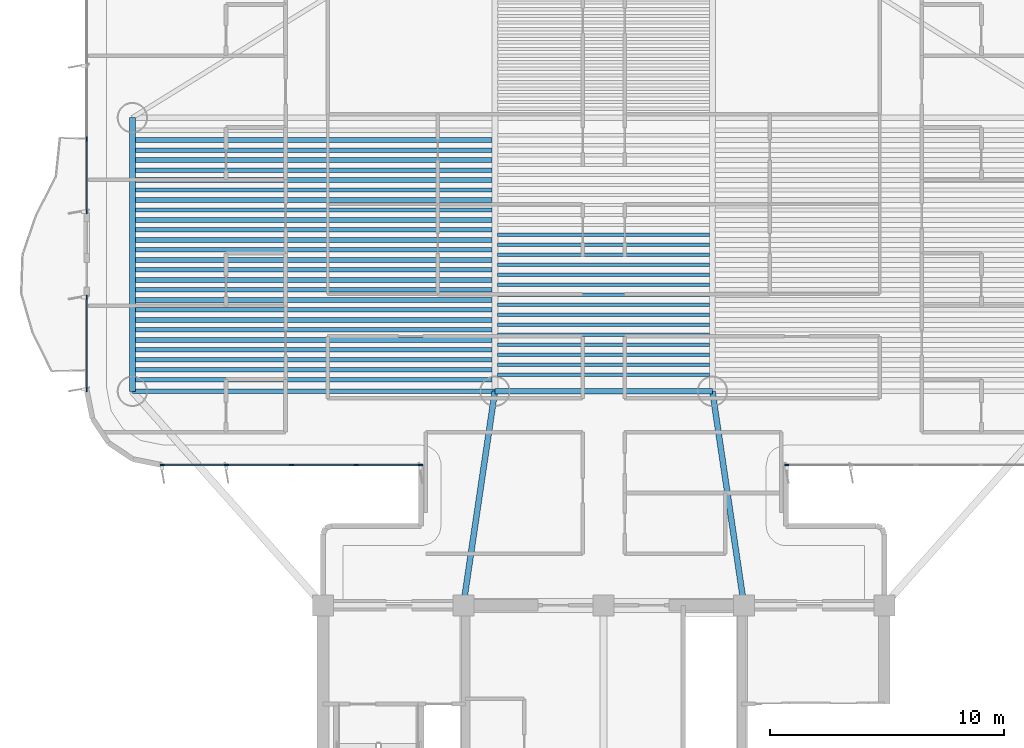
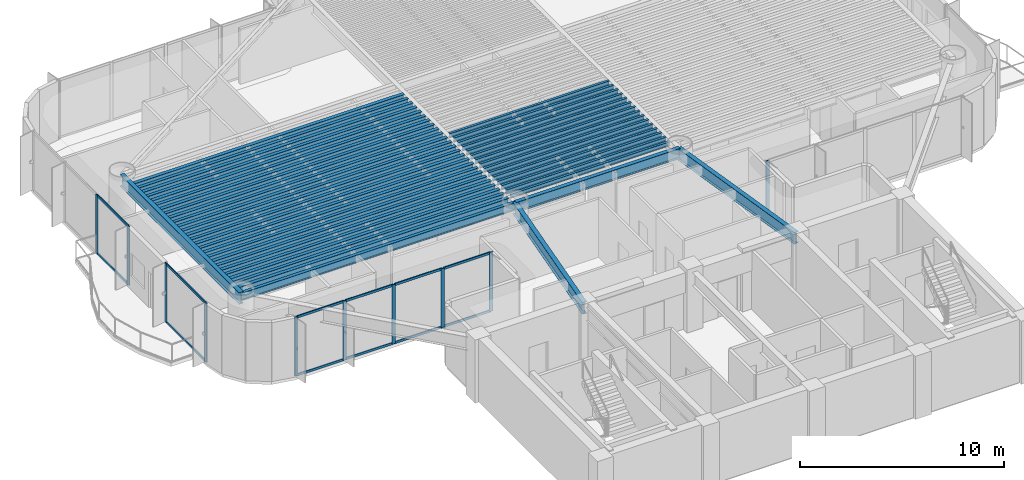
# One storey, part 2 of 17: 45 beams, 22 members, 4 elements without a shape of their own.
"""IFC4 building model written with IfcOpenShell, lengths in metres."""

from ifc_helpers import new_model, si_unit, direction, frame, origin, origin_2d, place, context, subcontext, project, spatial, rectangle, i_section, extrude, source, transform, mapped, material, layer, layer_set, material_profile, profile_set, type_object, element, aggregate, save


model = new_model("IFC4")

# Units and contexts
model_context = context("Model", 3, precision=1e-05, world=origin(), true_north=direction((0.0, 1.0)))
body_context = subcontext(model_context, "Body", "Model", "MODEL_VIEW")
ifc_project = project(units=[si_unit("LENGTHUNIT", "METRE"), si_unit("AREAUNIT", "SQUARE_METRE"), si_unit("VOLUMEUNIT", "CUBIC_METRE"), si_unit("PLANEANGLEUNIT", "RADIAN"), si_unit("MASSUNIT", "GRAM", prefix="KILO")], contexts=[model_context])

# Site, building, storey
site_placement = place(None, origin())
site = spatial("IfcSite", under=ifc_project, at=site_placement, CompositionType="ELEMENT")
building_placement = place(site_placement, origin())
building = spatial("IfcBuilding", under=site, at=building_placement, Name="Brelvock Crest Care Tower", CompositionType="ELEMENT")
storey_placement = place(building_placement, frame((0.0, 0.0, 131.39990234375)))
storey = spatial("IfcBuildingStorey", under=building, at=storey_placement, Name="L33", CompositionType="ELEMENT", Elevation=131.39990234375)

# Beams
ifc_material_1 = material(Name="Steel Grade 350", Category="steel")
ifc_material_profile_1 = material_profile(ifc_material_1, i_section(OverallWidth=0.22900390625, OverallDepth=0.612060546875, WebThickness=0.011962890625, FlangeThickness=0.01953125, FilletRadius=0.013916015625, at=origin_2d()), Name="610UB125")
ifc_profile_set_1 = profile_set([ifc_material_profile_1], Name="Steel Grade 350")
beam_type_1 = type_object("IfcBeamType", Name="BM-G1", PredefinedType="BEAM", material=ifc_profile_set_1)
shared_shape_1 = source(origin(), body_context, "Body", "SweptSolid", [
    extrude(i_section(OverallWidth=0.22900390625, OverallDepth=0.612060546875, WebThickness=0.011962890625, FlangeThickness=0.01953125, FilletRadius=0.013916015625, at=origin_2d()), origin(), (0.0, 0.0, 1.0), 9.2998046875),
])
beam_1_placement = place(storey_placement, frame((31.35009765625, 27.14990234375, 3.22412109375), z_axis=(1.0, 0.0, 0.0), x_axis=(0.0, 1.0, 0.0)))
element("IfcBeam", 1, at=beam_1_placement, inside=storey, type_object=beam_type_1, Name="BM-TWR-L33-05", PredefinedType="BEAM", context=body_context, shape_type="MappedRepresentation", body=[
    mapped(shared_shape_1, transform((0.0, 0.0, 0.0), x_axis=(1.0, 0.0, 0.0), y_axis=(0.0, 1.0, 0.0), z_axis=(0.0, 0.0, 1.0), scale=1.0)),
])
ifc_material_profile_2 = material_profile(ifc_material_1, i_section(OverallWidth=0.14599609375, OverallDepth=0.256103515625, WebThickness=0.00634765625, FlangeThickness=0.010986328125, FilletRadius=0.0087890625, at=origin_2d()), Name="250UB37.3")
ifc_profile_set_2 = profile_set([ifc_material_profile_2], Name="Steel Grade 350")
beam_type_2 = type_object("IfcBeamType", Name="BM-J3", PredefinedType="JOIST", material=ifc_profile_set_2)
shared_shape_2 = source(origin(), body_context, "Body", "SweptSolid", [
    extrude(i_section(OverallWidth=0.14599609375, OverallDepth=0.256103515625, WebThickness=0.00634765625, FlangeThickness=0.010986328125, FilletRadius=0.0087890625, at=origin_2d()), origin(), (0.0, 0.0, 1.0), 9.06982421875),
])
for number, where, z_axis, x_axis, name in (
    (2, (31.465087890625, 27.85498046875, 3.402099609375), (1.0, 0.0, 0.0), (0.0, 1.0, 0.0), "BM-JH-L33-1"),
    (3, (31.465087890625, 28.281982421875, 3.402099609375), (1.0, 0.0, 0.0), (0.0, 1.0, 0.0), "BM-JH-L33-2"),
    (4, (31.465087890625, 28.708984375, 3.402099609375), (1.0, 0.0, 0.0), (0.0, 1.0, 0.0), "BM-JH-L33-3"),
    (5, (31.465087890625, 29.135986328125, 3.402099609375), (1.0, 0.0, 0.0), (0.0, 1.0, 0.0), "BM-JH-L33-4"),
    (6, (31.465087890625, 29.56298828125, 3.402099609375), (1.0, 0.0, 0.0), (0.0, 1.0, 0.0), "BM-JH-L33-5"),
    (7, (31.465087890625, 29.990234375, 3.402099609375), (1.0, 0.0, 0.0), (0.0, 1.0, 0.0), "BM-JH-L33-6"),
    (8, (31.465087890625, 30.417236328125, 3.402099609375), (1.0, 0.0, 0.0), (0.0, 1.0, 0.0), "BM-JH-L33-7"),
    (9, (31.465087890625, 30.84423828125, 3.402099609375), (1.0, 0.0, 0.0), (0.0, 1.0, 0.0), "BM-JH-L33-8"),
    (10, (31.465087890625, 31.271240234375, 3.402099609375), (1.0, 0.0, 0.0), (0.0, 1.0, 0.0), "BM-JH-L33-9"),
    (11, (31.465087890625, 31.698486328125, 3.402099609375), (1.0, 0.0, 0.0), (0.0, 1.0, 0.0), "BM-JH-L33-10"),
    (12, (31.465087890625, 32.12548828125, 3.402099609375), (1.0, 0.0, 0.0), (0.0, 1.0, 0.0), "BM-JH-L33-11"),
    (13, (31.465087890625, 32.552490234375, 3.402099609375), (1.0, 0.0, 0.0), (0.0, 1.0, 0.0), "BM-JH-L33-12"),
    (14, (31.465087890625, 32.9794921875, 3.402099609375), (1.0, 0.0, 0.0), (0.0, 1.0, 0.0), "BM-JH-L33-13"),
    (15, (31.465087890625, 33.406494140625, 3.402099609375), (1.0, 0.0, 0.0), (0.0, 1.0, 0.0), "BM-JH-L33-14"),
    (16, (31.465087890625, 33.83349609375, 3.402099609375), (1.0, 0.0, 0.0), (0.0, 1.0, 0.0), "BM-JH-L33-15"),
):
    element("IfcBeam", number, at=place(storey_placement, frame(where, z_axis=z_axis, x_axis=x_axis)), inside=storey, type_object=beam_type_2, Name=name, PredefinedType="JOIST", context=body_context, shape_type="MappedRepresentation", body=[
        mapped(shared_shape_2, transform((0.0, 0.0, 0.0), x_axis=(1.0, 0.0, 0.0), y_axis=(0.0, 1.0, 0.0), z_axis=(0.0, 0.0, 1.0), scale=1.0)),
    ])
ifc_material_profile_3 = material_profile(ifc_material_1, i_section(OverallWidth=0.208984375, OverallDepth=0.532958984375, WebThickness=0.01025390625, FlangeThickness=0.015625, FilletRadius=0.013916015625, at=origin_2d()), Name="530UB92.4")
ifc_profile_set_3 = profile_set([ifc_material_profile_3], Name="Steel Grade 350")
beam_type_3 = type_object("IfcBeamType", Name="BM-G2", PredefinedType="BEAM", material=ifc_profile_set_3)
shared_shape_3 = source(origin(), body_context, "Body", "SweptSolid", [
    extrude(i_section(OverallWidth=0.208984375, OverallDepth=0.532958984375, WebThickness=0.01025390625, FlangeThickness=0.015625, FilletRadius=0.013916015625, at=origin_2d()), origin(), (0.0, 0.0, 1.0), 15.27001953125),
])
for number, where, z_axis, x_axis, name in (
    (17, (15.965087890625, 27.641357421875, 3.263671875), (1.0, 0.0, 0.0), (0.0, 1.0, 0.0), "BM-JW-L33-1"),
    (18, (15.965087890625, 28.49560546875, 3.263671875), (1.0, 0.0, 0.0), (0.0, 1.0, 0.0), "BM-JW-L33-3"),
    (19, (15.965087890625, 29.349609375, 3.263671875), (1.0, 0.0, 0.0), (0.0, 1.0, 0.0), "BM-JW-L33-5"),
    (20, (15.965087890625, 30.20361328125, 3.263671875), (1.0, 0.0, 0.0), (0.0, 1.0, 0.0), "BM-JW-L33-7"),
    (21, (15.965087890625, 31.057861328125, 3.263671875), (1.0, 0.0, 0.0), (0.0, 1.0, 0.0), "BM-JW-L33-9"),
    (22, (15.965087890625, 31.911865234375, 3.263671875), (1.0, 0.0, 0.0), (0.0, 1.0, 0.0), "BM-JW-L33-11"),
    (23, (15.965087890625, 32.76611328125, 3.263671875), (1.0, 0.0, 0.0), (0.0, 1.0, 0.0), "BM-JW-L33-13"),
    (24, (15.965087890625, 33.6201171875, 3.263671875), (1.0, 0.0, 0.0), (0.0, 1.0, 0.0), "BM-JW-L33-15"),
    (25, (15.965087890625, 34.47412109375, 3.263671875), (1.0, 0.0, 0.0), (0.0, 1.0, 0.0), "BM-JW-L33-17"),
    (26, (15.965087890625, 35.328369140625, 3.263671875), (1.0, 0.0, 0.0), (0.0, 1.0, 0.0), "BM-JW-L33-19"),
    (27, (15.965087890625, 36.182373046875, 3.263671875), (1.0, 0.0, 0.0), (0.0, 1.0, 0.0), "BM-JW-L33-21"),
    (28, (15.965087890625, 37.03662109375, 3.263671875), (1.0, 0.0, 0.0), (0.0, 1.0, 0.0), "BM-JW-L33-23"),
    (29, (15.965087890625, 37.890625, 3.263671875), (1.0, 0.0, 0.0), (0.0, 1.0, 0.0), "BM-JW-L33-25"),
):
    element("IfcBeam", number, at=place(storey_placement, frame(where, z_axis=z_axis, x_axis=x_axis)), inside=storey, type_object=beam_type_3, Name=name, PredefinedType="BEAM", context=body_context, shape_type="MappedRepresentation", body=[
        mapped(shared_shape_3, transform((0.0, 0.0, 0.0), x_axis=(1.0, 0.0, 0.0), y_axis=(0.0, 1.0, 0.0), z_axis=(0.0, 0.0, 1.0), scale=1.0)),
    ])
ifc_material_profile_4 = material_profile(ifc_material_1, i_section(OverallWidth=0.19091796875, OverallDepth=0.4599609375, WebThickness=0.010009765625, FlangeThickness=0.01611328125, FilletRadius=0.011474609375, at=origin_2d()), Name="460UB82.1")
ifc_profile_set_4 = profile_set([ifc_material_profile_4], Name="Steel Grade 350")
beam_type_4 = type_object("IfcBeamType", Name="BM-G3", PredefinedType="BEAM", material=ifc_profile_set_4)
shared_shape_4 = source(origin(), body_context, "Body", "SweptSolid", [
    extrude(i_section(OverallWidth=0.19091796875, OverallDepth=0.4599609375, WebThickness=0.010009765625, FlangeThickness=0.01611328125, FilletRadius=0.011474609375, at=origin_2d()), origin(), (0.0, 0.0, 1.0), 15.27001953125),
])
for number, where, z_axis, x_axis, name in (
    (30, (15.965087890625, 28.068359375, 3.300048828125), (1.0, 0.0, 0.0), (0.0, 1.0, 0.0), "BM-JW-L33-2"),
    (31, (15.965087890625, 28.922607421875, 3.300048828125), (1.0, 0.0, 0.0), (0.0, 1.0, 0.0), "BM-JW-L33-4"),
    (32, (15.965087890625, 29.776611328125, 3.300048828125), (1.0, 0.0, 0.0), (0.0, 1.0, 0.0), "BM-JW-L33-6"),
    (33, (15.965087890625, 30.630615234375, 3.300048828125), (1.0, 0.0, 0.0), (0.0, 1.0, 0.0), "BM-JW-L33-8"),
    (34, (15.965087890625, 31.48486328125, 3.300048828125), (1.0, 0.0, 0.0), (0.0, 1.0, 0.0), "BM-JW-L33-10"),
    (35, (15.965087890625, 32.3388671875, 3.300048828125), (1.0, 0.0, 0.0), (0.0, 1.0, 0.0), "BM-JW-L33-12"),
    (36, (15.965087890625, 33.193115234375, 3.300048828125), (1.0, 0.0, 0.0), (0.0, 1.0, 0.0), "BM-JW-L33-14"),
    (37, (15.965087890625, 34.047119140625, 3.300048828125), (1.0, 0.0, 0.0), (0.0, 1.0, 0.0), "BM-JW-L33-16"),
    (38, (15.965087890625, 34.901123046875, 3.300048828125), (1.0, 0.0, 0.0), (0.0, 1.0, 0.0), "BM-JW-L33-18"),
    (39, (15.965087890625, 35.75537109375, 3.300048828125), (1.0, 0.0, 0.0), (0.0, 1.0, 0.0), "BM-JW-L33-20"),
    (40, (15.965087890625, 36.609619140625, 3.300048828125), (1.0, 0.0, 0.0), (0.0, 1.0, 0.0), "BM-JW-L33-22"),
    (41, (15.965087890625, 37.46337890625, 3.300048828125), (1.0, 0.0, 0.0), (0.0, 1.0, 0.0), "BM-JW-L33-24"),
):
    element("IfcBeam", number, at=place(storey_placement, frame(where, z_axis=z_axis, x_axis=x_axis)), inside=storey, type_object=beam_type_4, Name=name, PredefinedType="BEAM", context=body_context, shape_type="MappedRepresentation", body=[
        mapped(shared_shape_4, transform((0.0, 0.0, 0.0), x_axis=(1.0, 0.0, 0.0), y_axis=(0.0, 1.0, 0.0), z_axis=(0.0, 0.0, 1.0), scale=1.0)),
    ])
ifc_material_profile_5 = material_profile(ifc_material_1, i_section(OverallWidth=0.25, OverallDepth=0.699951171875, WebThickness=0.011962890625, FlangeThickness=0.02001953125, at=origin_2d()), Name="700WB150")
ifc_profile_set_5 = profile_set([ifc_material_profile_5], Name="Steel Grade 350")
beam_type_5 = type_object("IfcBeamType", Name="BM-G4", PredefinedType="BEAM", material=ifc_profile_set_5)
shared_shape_5 = source(origin(), body_context, "Body", "SweptSolid", [
    extrude(i_section(OverallWidth=0.25, OverallDepth=0.699951171875, WebThickness=0.011962890625, FlangeThickness=0.02001953125, at=origin_2d()), origin(), (0.0, 0.0, 1.0), 11.7001953125),
])
beam_2_placement = place(storey_placement, frame((15.85009765625, 27.14990234375, 3.18017578125), z_axis=(0.0, 1.0, 0.0), x_axis=(-1.0, 0.0, 0.0)))
element("IfcBeam", 42, at=beam_2_placement, inside=storey, type_object=beam_type_5, Name="BM-TWR-L33-01", PredefinedType="BEAM", context=body_context, shape_type="MappedRepresentation", body=[
    mapped(shared_shape_5, transform((0.0, 0.0, 0.0), x_axis=(1.0, 0.0, 0.0), y_axis=(0.0, 1.0, 0.0), z_axis=(0.0, 0.0, 1.0), scale=1.0)),
])
ifc_material_profile_6 = material_profile(ifc_material_1, i_section(OverallWidth=0.19091796875, OverallDepth=0.4599609375, WebThickness=0.010009765625, FlangeThickness=0.01611328125, FilletRadius=0.011474609375, at=origin_2d()), Name="460UB82.1")
ifc_profile_set_6 = profile_set([ifc_material_profile_6], Name="Steel Grade 350")
beam_type_6 = type_object("IfcBeamType", Name="BM-SP2", PredefinedType="SPANDREL", material=ifc_profile_set_6)
shared_shape_6 = source(origin(), body_context, "Body", "SweptSolid", [
    extrude(i_section(OverallWidth=0.19091796875, OverallDepth=0.4599609375, WebThickness=0.010009765625, FlangeThickness=0.01611328125, FilletRadius=0.011474609375, at=origin_2d()), origin(), (0.0, 0.0, 1.0), 15.5),
])
beam_3_placement = place(storey_placement, frame((15.85009765625, 27.14990234375, 3.300048828125), z_axis=(1.0, 0.0, 0.0), x_axis=(0.0, 1.0, 0.0)))
element("IfcBeam", 43, at=beam_3_placement, inside=storey, type_object=beam_type_6, Name="BM-TWR-L33-03", PredefinedType="SPANDREL", context=body_context, shape_type="MappedRepresentation", body=[
    mapped(shared_shape_6, transform((0.0, 0.0, 0.0), x_axis=(1.0, 0.0, 0.0), y_axis=(0.0, 1.0, 0.0), z_axis=(0.0, 0.0, 1.0), scale=1.0)),
])
shared_shape_7 = source(origin(), body_context, "Body", "SweptSolid", [
    extrude(i_section(OverallWidth=0.25, OverallDepth=0.699951171875, WebThickness=0.011962890625, FlangeThickness=0.02001953125, at=origin_2d()), origin(), (0.0, 0.0, 1.0), 9.2490234375),
])
for number, where, z_axis, x_axis, name in (
    (44, (30.0, 18.0, 3.18017578125), (0.145972731602, 0.989288613918, 0.0), (-0.989288613918, 0.145972731602, 0.0), "BM-THRW-L33"),
    (45, (42.0, 18.0, 3.18017578125), (-0.145972731602, 0.989288613918, 0.0), (-0.989288613918, -0.145972731602, 0.0), "BM-THRE-L33"),
):
    element("IfcBeam", number, at=place(storey_placement, frame(where, z_axis=z_axis, x_axis=x_axis)), inside=storey, type_object=beam_type_5, Name=name, PredefinedType="BEAM", context=body_context, shape_type="MappedRepresentation", body=[
        mapped(shared_shape_7, transform((0.0, 0.0, 0.0), x_axis=(1.0, 0.0, 0.0), y_axis=(0.0, 1.0, 0.0), z_axis=(0.0, 0.0, 1.0), scale=1.0)),
    ])

# Curtain wall, members
ifc_material_2 = material(Name="Dark Glass Double Glazed Low-E", Category="glass")
ifc_layer = layer(ifc_material_2, 0.2099609375, Name="CWS-3")
ifc_layer_set = layer_set([ifc_layer], Name="Dark Glass Double Glazed Low-E")
curtain_wall_type = type_object("IfcCurtainWallType", Name="CWS-3", PredefinedType="NOTDEFINED", material=ifc_layer_set)
curtain_wall_1_placement = place(storey_placement, origin())
curtain_wall_1 = element("IfcCurtainWall", 46, at=curtain_wall_1_placement, inside=storey, type_object=curtain_wall_type, Name="L33 Curtain Wall E12", PredefinedType="NOTDEFINED")
ifc_material_3 = material(Name="Aluminium 6063-T6", Category="aluminium")
ifc_material_profile_7 = material_profile(ifc_material_3, rectangle(XDim=0.06005859375, YDim=0.179931640625, at=origin_2d()), Name="ALU60x180")
ifc_profile_set_7 = profile_set([ifc_material_profile_7], Name="Aluminium 6063-T6")
member_type_1 = type_object("IfcMemberType", Name="CWM-2", PredefinedType="MULLION", material=ifc_profile_set_7)
shared_shape_8 = source(origin(), body_context, "Body", "SweptSolid", [
    extrude(rectangle(XDim=0.06005859375, YDim=0.179931640625, at=origin_2d()), origin(), (0.0, 0.0, 1.0), 3.530029296875),
])
member_1_placement = place(storey_placement, frame((28.169921875, 24.0, 0.0), z_axis=(0.0, 0.0, 1.0), x_axis=(0.0, -1.0, 0.0)))
member_1 = element("IfcMember", 47, at=member_1_placement, type_object=member_type_1, Name="CW-3 mullion 1", PredefinedType="MULLION", context=body_context, shape_type="MappedRepresentation", body=[
    mapped(shared_shape_8, transform((0.0, 0.0, 0.0), x_axis=(1.0, 0.0, 0.0), y_axis=(0.0, 1.0, 0.0), z_axis=(0.0, 0.0, 1.0), scale=1.0)),
])
member_2_placement = place(storey_placement, frame((25.425048828125, 24.0, 0.0), z_axis=(0.0, 0.0, 1.0), x_axis=(0.0, -1.0, 0.0)))
member_2 = element("IfcMember", 48, at=member_2_placement, type_object=member_type_1, Name="CW-3 mullion 2", PredefinedType="MULLION", context=body_context, shape_type="MappedRepresentation", body=[
    mapped(shared_shape_8, transform((0.0, 0.0, 0.0), x_axis=(1.0, 0.0, 0.0), y_axis=(0.0, 1.0, 0.0), z_axis=(0.0, 0.0, 1.0), scale=1.0)),
])
member_3_placement = place(storey_placement, frame((22.64990234375, 24.0, 0.0), z_axis=(0.0, 0.0, 1.0), x_axis=(0.0, -1.0, 0.0)))
member_3 = element("IfcMember", 49, at=member_3_placement, type_object=member_type_1, Name="CW-3 mullion 3", PredefinedType="MULLION", context=body_context, shape_type="MappedRepresentation", body=[
    mapped(shared_shape_8, transform((0.0, 0.0, 0.0), x_axis=(1.0, 0.0, 0.0), y_axis=(0.0, 1.0, 0.0), z_axis=(0.0, 0.0, 1.0), scale=1.0)),
])
member_4_placement = place(storey_placement, frame((19.875, 24.0, 0.0), z_axis=(0.0, 0.0, 1.0), x_axis=(0.0, -1.0, 0.0)))
member_4 = element("IfcMember", 50, at=member_4_placement, type_object=member_type_1, Name="CW-3 mullion 4", PredefinedType="MULLION", context=body_context, shape_type="MappedRepresentation", body=[
    mapped(shared_shape_8, transform((0.0, 0.0, 0.0), x_axis=(1.0, 0.0, 0.0), y_axis=(0.0, 1.0, 0.0), z_axis=(0.0, 0.0, 1.0), scale=1.0)),
])
member_5_placement = place(storey_placement, frame((17.1298828125, 24.0, 0.0), z_axis=(0.0, 0.0, 1.0), x_axis=(0.0, -1.0, 0.0)))
member_5 = element("IfcMember", 51, at=member_5_placement, type_object=member_type_1, Name="CW-3 mullion 5", PredefinedType="MULLION", context=body_context, shape_type="MappedRepresentation", body=[
    mapped(shared_shape_8, transform((0.0, 0.0, 0.0), x_axis=(1.0, 0.0, 0.0), y_axis=(0.0, 1.0, 0.0), z_axis=(0.0, 0.0, 1.0), scale=1.0)),
])

curtain_wall_2_placement = place(storey_placement, origin())
curtain_wall_2 = element("IfcCurtainWall", 52, at=curtain_wall_2_placement, inside=storey, type_object=curtain_wall_type, Name="L33 Curtain Wall E17A", PredefinedType="NOTDEFINED")
member_6_placement = place(storey_placement, frame((13.89990234375, 27.22998046875, 0.0), z_axis=(0.0, 0.0, 1.0), x_axis=(-1.0, 0.0, 0.0)))
member_6 = element("IfcMember", 53, at=member_6_placement, type_object=member_type_1, Name="CW-3 mullion 1", PredefinedType="MULLION", context=body_context, shape_type="MappedRepresentation", body=[
    mapped(shared_shape_8, transform((0.0, 0.0, 0.0), x_axis=(1.0, 0.0, 0.0), y_axis=(0.0, 1.0, 0.0), z_axis=(0.0, 0.0, 1.0), scale=1.0)),
])
member_7_placement = place(storey_placement, frame((13.89990234375, 31.169921875, 0.0), z_axis=(0.0, 0.0, 1.0), x_axis=(-1.0, 0.0, 0.0)))
member_7 = element("IfcMember", 54, at=member_7_placement, type_object=member_type_1, Name="CW-3 mullion 2", PredefinedType="MULLION", context=body_context, shape_type="MappedRepresentation", body=[
    mapped(shared_shape_8, transform((0.0, 0.0, 0.0), x_axis=(1.0, 0.0, 0.0), y_axis=(0.0, 1.0, 0.0), z_axis=(0.0, 0.0, 1.0), scale=1.0)),
])

curtain_wall_3_placement = place(storey_placement, origin())
curtain_wall_3 = element("IfcCurtainWall", 55, at=curtain_wall_3_placement, inside=storey, type_object=curtain_wall_type, Name="L33 Curtain Wall E17B", PredefinedType="NOTDEFINED")
member_8_placement = place(storey_placement, frame((13.89990234375, 34.830078125, 0.0), z_axis=(0.0, 0.0, 1.0), x_axis=(-1.0, 0.0, 0.0)))
member_8 = element("IfcMember", 56, at=member_8_placement, type_object=member_type_1, Name="CW-3 mullion 1", PredefinedType="MULLION", context=body_context, shape_type="MappedRepresentation", body=[
    mapped(shared_shape_8, transform((0.0, 0.0, 0.0), x_axis=(1.0, 0.0, 0.0), y_axis=(0.0, 1.0, 0.0), z_axis=(0.0, 0.0, 1.0), scale=1.0)),
])
member_9_placement = place(storey_placement, frame((13.89990234375, 37.933349609375, 0.0), z_axis=(0.0, 0.0, 1.0), x_axis=(-1.0, 0.0, 0.0)))
member_9 = element("IfcMember", 57, at=member_9_placement, type_object=member_type_1, Name="CW-3 mullion 2", PredefinedType="MULLION", context=body_context, shape_type="MappedRepresentation", body=[
    mapped(shared_shape_8, transform((0.0, 0.0, 0.0), x_axis=(1.0, 0.0, 0.0), y_axis=(0.0, 1.0, 0.0), z_axis=(0.0, 0.0, 1.0), scale=1.0)),
])

# Curtain wall, member
curtain_wall_4_placement = place(storey_placement, origin())
curtain_wall_4 = element("IfcCurtainWall", 58, at=curtain_wall_4_placement, inside=storey, type_object=curtain_wall_type, Name="L33 Curtain Wall E44", PredefinedType="NOTDEFINED")
member_10_placement = place(storey_placement, frame((43.830078125, 24.0, 0.0), z_axis=(0.0, 0.0, 1.0), x_axis=(0.0, -1.0, 0.0)))
member_10 = element("IfcMember", 59, at=member_10_placement, type_object=member_type_1, Name="CW-3 mullion 5", PredefinedType="MULLION", context=body_context, shape_type="MappedRepresentation", body=[
    mapped(shared_shape_8, transform((0.0, 0.0, 0.0), x_axis=(1.0, 0.0, 0.0), y_axis=(0.0, 1.0, 0.0), z_axis=(0.0, 0.0, 1.0), scale=1.0)),
])
aggregate(curtain_wall_4, [member_10])

# Member
ifc_material_profile_8 = material_profile(ifc_material_3, rectangle(XDim=0.06005859375, YDim=0.139892578125, at=origin_2d()), Name="ALU60x140")
ifc_profile_set_8 = profile_set([ifc_material_profile_8], Name="Aluminium 6063-T6")
member_type_2 = type_object("IfcMemberType", Name="CWT-2", PredefinedType="USERDEFINED", material=ifc_profile_set_8)
shared_shape_9 = source(origin(), body_context, "Body", "SweptSolid", [
    extrude(rectangle(XDim=0.06005859375, YDim=0.139892578125, at=origin_2d()), origin(), (0.0, 0.0, 1.0), 2.684814453125),
])
member_11_placement = place(storey_placement, frame((28.139892578125, 24.0, 0.030029296875), z_axis=(-1.0, 0.0, 0.0), x_axis=(0.0, -1.0, 0.0)))
member_11 = element("IfcMember", 60, at=member_11_placement, type_object=member_type_2, Name="CW-3 transom 1.1", ObjectType="TRANSOM", PredefinedType="USERDEFINED", context=body_context, shape_type="MappedRepresentation", body=[
    mapped(shared_shape_9, transform((0.0, 0.0, 0.0), x_axis=(1.0, 0.0, 0.0), y_axis=(0.0, 1.0, 0.0), z_axis=(0.0, 0.0, 1.0), scale=1.0)),
])

member_12_placement = place(storey_placement, frame((28.139892578125, 24.0, 3.5), z_axis=(-1.0, 0.0, 0.0), x_axis=(0.0, -1.0, 0.0)))
member_12 = element("IfcMember", 61, at=member_12_placement, type_object=member_type_2, Name="CW-3 transom 1.2", ObjectType="TRANSOM", PredefinedType="USERDEFINED", context=body_context, shape_type="MappedRepresentation", body=[
    mapped(shared_shape_9, transform((0.0, 0.0, 0.0), x_axis=(1.0, 0.0, 0.0), y_axis=(0.0, 1.0, 0.0), z_axis=(0.0, 0.0, 1.0), scale=1.0)),
])

shared_shape_10 = source(origin(), body_context, "Body", "SweptSolid", [
    extrude(rectangle(XDim=0.06005859375, YDim=0.139892578125, at=origin_2d()), origin(), (0.0, 0.0, 1.0), 2.715087890625),
])
member_13_placement = place(storey_placement, frame((25.39501953125, 24.0, 0.030029296875), z_axis=(-1.0, 0.0, 0.0), x_axis=(0.0, -1.0, 0.0)))
member_13 = element("IfcMember", 62, at=member_13_placement, type_object=member_type_2, Name="CW-3 transom 2.1", ObjectType="TRANSOM", PredefinedType="USERDEFINED", context=body_context, shape_type="MappedRepresentation", body=[
    mapped(shared_shape_10, transform((0.0, 0.0, 0.0), x_axis=(1.0, 0.0, 0.0), y_axis=(0.0, 1.0, 0.0), z_axis=(0.0, 0.0, 1.0), scale=1.0)),
])

member_14_placement = place(storey_placement, frame((25.39501953125, 24.0, 3.5), z_axis=(-1.0, 0.0, 0.0), x_axis=(0.0, -1.0, 0.0)))
member_14 = element("IfcMember", 63, at=member_14_placement, type_object=member_type_2, Name="CW-3 transom 2.2", ObjectType="TRANSOM", PredefinedType="USERDEFINED", context=body_context, shape_type="MappedRepresentation", body=[
    mapped(shared_shape_10, transform((0.0, 0.0, 0.0), x_axis=(1.0, 0.0, 0.0), y_axis=(0.0, 1.0, 0.0), z_axis=(0.0, 0.0, 1.0), scale=1.0)),
])

member_15_placement = place(storey_placement, frame((22.6201171875, 24.0, 0.030029296875), z_axis=(-1.0, 0.0, 0.0), x_axis=(0.0, -1.0, 0.0)))
member_15 = element("IfcMember", 64, at=member_15_placement, type_object=member_type_2, Name="CW-3 transom 3.1", ObjectType="TRANSOM", PredefinedType="USERDEFINED", context=body_context, shape_type="MappedRepresentation", body=[
    mapped(shared_shape_10, transform((0.0, 0.0, 0.0), x_axis=(1.0, 0.0, 0.0), y_axis=(0.0, 1.0, 0.0), z_axis=(0.0, 0.0, 1.0), scale=1.0)),
])

member_16_placement = place(storey_placement, frame((22.6201171875, 24.0, 3.5), z_axis=(-1.0, 0.0, 0.0), x_axis=(0.0, -1.0, 0.0)))
member_16 = element("IfcMember", 65, at=member_16_placement, type_object=member_type_2, Name="CW-3 transom 3.2", ObjectType="TRANSOM", PredefinedType="USERDEFINED", context=body_context, shape_type="MappedRepresentation", body=[
    mapped(shared_shape_10, transform((0.0, 0.0, 0.0), x_axis=(1.0, 0.0, 0.0), y_axis=(0.0, 1.0, 0.0), z_axis=(0.0, 0.0, 1.0), scale=1.0)),
])

shared_shape_11 = source(origin(), body_context, "Body", "SweptSolid", [
    extrude(rectangle(XDim=0.06005859375, YDim=0.139892578125, at=origin_2d()), origin(), (0.0, 0.0, 1.0), 2.68505859375),
])
member_17_placement = place(storey_placement, frame((19.844970703125, 24.0, 0.030029296875), z_axis=(-1.0, 0.0, 0.0), x_axis=(0.0, -1.0, 0.0)))
member_17 = element("IfcMember", 66, at=member_17_placement, type_object=member_type_2, Name="CW-3 transom 4.1", ObjectType="TRANSOM", PredefinedType="USERDEFINED", context=body_context, shape_type="MappedRepresentation", body=[
    mapped(shared_shape_11, transform((0.0, 0.0, 0.0), x_axis=(1.0, 0.0, 0.0), y_axis=(0.0, 1.0, 0.0), z_axis=(0.0, 0.0, 1.0), scale=1.0)),
])

member_18_placement = place(storey_placement, frame((19.844970703125, 24.0, 3.5), z_axis=(-1.0, 0.0, 0.0), x_axis=(0.0, -1.0, 0.0)))
member_18 = element("IfcMember", 67, at=member_18_placement, type_object=member_type_2, Name="CW-3 transom 4.2", ObjectType="TRANSOM", PredefinedType="USERDEFINED", context=body_context, shape_type="MappedRepresentation", body=[
    mapped(shared_shape_11, transform((0.0, 0.0, 0.0), x_axis=(1.0, 0.0, 0.0), y_axis=(0.0, 1.0, 0.0), z_axis=(0.0, 0.0, 1.0), scale=1.0)),
])

aggregate(curtain_wall_1, [member_1, member_2, member_3, member_4, member_5, member_11, member_12, member_13, member_14, member_15, member_16, member_17, member_18])

shared_shape_12 = source(origin(), body_context, "Body", "SweptSolid", [
    extrude(rectangle(XDim=0.06005859375, YDim=0.139892578125, at=origin_2d()), origin(), (0.0, 0.0, 1.0), 3.8798828125),
])
member_19_placement = place(storey_placement, frame((13.89990234375, 27.260009765625, 0.030029296875), z_axis=(0.0, 1.0, 0.0), x_axis=(-1.0, 0.0, 0.0)))
member_19 = element("IfcMember", 68, at=member_19_placement, type_object=member_type_2, Name="CW-3 transom 1.1", ObjectType="TRANSOM", PredefinedType="USERDEFINED", context=body_context, shape_type="MappedRepresentation", body=[
    mapped(shared_shape_12, transform((0.0, 0.0, 0.0), x_axis=(1.0, 0.0, 0.0), y_axis=(0.0, 1.0, 0.0), z_axis=(0.0, 0.0, 1.0), scale=1.0)),
])

member_20_placement = place(storey_placement, frame((13.89990234375, 27.260009765625, 3.5), z_axis=(0.0, 1.0, 0.0), x_axis=(-1.0, 0.0, 0.0)))
member_20 = element("IfcMember", 69, at=member_20_placement, type_object=member_type_2, Name="CW-3 transom 1.2", ObjectType="TRANSOM", PredefinedType="USERDEFINED", context=body_context, shape_type="MappedRepresentation", body=[
    mapped(shared_shape_12, transform((0.0, 0.0, 0.0), x_axis=(1.0, 0.0, 0.0), y_axis=(0.0, 1.0, 0.0), z_axis=(0.0, 0.0, 1.0), scale=1.0)),
])

aggregate(curtain_wall_2, [member_6, member_7, member_19, member_20])

shared_shape_13 = source(origin(), body_context, "Body", "SweptSolid", [
    extrude(rectangle(XDim=0.06005859375, YDim=0.139892578125, at=origin_2d()), origin(), (0.0, 0.0, 1.0), 3.043212890625),
])
member_21_placement = place(storey_placement, frame((13.89990234375, 34.860107421875, 0.030029296875), z_axis=(0.0, 1.0, 0.0), x_axis=(-1.0, 0.0, 0.0)))
member_21 = element("IfcMember", 70, at=member_21_placement, type_object=member_type_2, Name="CW-3 transom 1.1", ObjectType="TRANSOM", PredefinedType="USERDEFINED", context=body_context, shape_type="MappedRepresentation", body=[
    mapped(shared_shape_13, transform((0.0, 0.0, 0.0), x_axis=(1.0, 0.0, 0.0), y_axis=(0.0, 1.0, 0.0), z_axis=(0.0, 0.0, 1.0), scale=1.0)),
])

member_22_placement = place(storey_placement, frame((13.89990234375, 34.860107421875, 3.5), z_axis=(0.0, 1.0, 0.0), x_axis=(-1.0, 0.0, 0.0)))
member_22 = element("IfcMember", 71, at=member_22_placement, type_object=member_type_2, Name="CW-3 transom 1.2", ObjectType="TRANSOM", PredefinedType="USERDEFINED", context=body_context, shape_type="MappedRepresentation", body=[
    mapped(shared_shape_13, transform((0.0, 0.0, 0.0), x_axis=(1.0, 0.0, 0.0), y_axis=(0.0, 1.0, 0.0), z_axis=(0.0, 0.0, 1.0), scale=1.0)),
])

aggregate(curtain_wall_3, [member_8, member_9, member_21, member_22])

save(model, "model.ifc")
